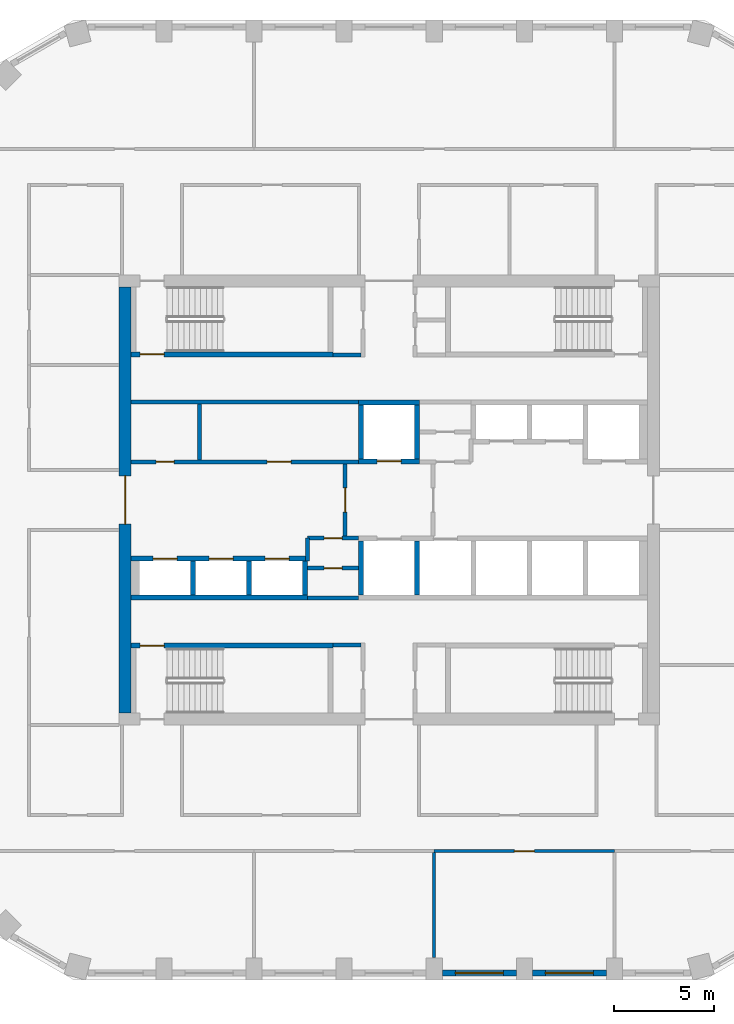
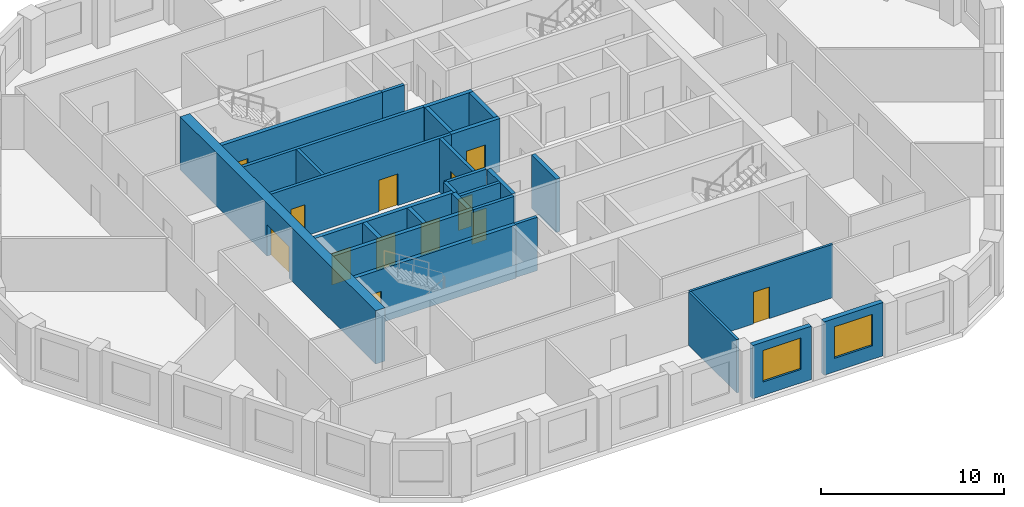
# One storey, part 3 of 9: 28 walls, 13 doors, 2 windows, 15 openings.
"""IFC4 building model written with IfcOpenShell, lengths in metres."""

from ifc_helpers import new_model, si_unit, direction, frame, frame_2d, origin, place, context, subcontext, project, spatial, polyline, rectangle, outline, extrude, material, layer, layer_set, type_object, element, fill, save


model = new_model("IFC4")

# Units and contexts
model_context = context("Model", 3, precision=1e-05, world=origin(), true_north=direction((0.0, 1.0)))
body_context = subcontext(model_context, "Body", "Model", "MODEL_VIEW")
ifc_project = project(units=[si_unit("LENGTHUNIT", "METRE"), si_unit("AREAUNIT", "SQUARE_METRE"), si_unit("VOLUMEUNIT", "CUBIC_METRE"), si_unit("PLANEANGLEUNIT", "RADIAN"), si_unit("MASSUNIT", "GRAM", prefix="KILO")], contexts=[model_context])

# Site, building, storey
site_placement = place(None, origin())
site = spatial("IfcSite", under=ifc_project, at=site_placement, CompositionType="ELEMENT")
building_placement = place(site_placement, origin())
building = spatial("IfcBuilding", under=site, at=building_placement, Name="Dhurran Vertical Campus", CompositionType="ELEMENT")
storey_placement = place(building_placement, frame((0.0, 0.0, 203.39990234375)))
storey = spatial("IfcBuildingStorey", under=building, at=storey_placement, Name="L50", CompositionType="ELEMENT", Elevation=203.39990234375)

# Wall, opening, window
ifc_material_1 = material(Name="Precast concrete C50/60", Category="concrete")
ifc_layer_1 = layer(ifc_material_1, 0.300048828125)
ifc_layer_set_1 = layer_set([ifc_layer_1], Name="Precast concrete C50/60")
wall_type_1 = type_object("IfcWallType", Name="Precast spandrel wall 300", PredefinedType="SOLIDWALL", material=ifc_layer_set_1)
wall_1_placement = place(storey_placement, frame((2.650390625, -23.635498046875, 0.0), z_axis=(0.0, 0.0, 1.0), x_axis=(1.0, 0.0, 0.0)))
wall_1 = element("IfcWall", 1, at=wall_1_placement, inside=storey, type_object=wall_type_1, Name="EW1 L50.04", PredefinedType="SOLIDWALL", context=body_context, shape_type="SweptSolid", body=[
    extrude(rectangle(XDim=3.69921875, YDim=0.300048828125, at=frame_2d((1.849609375, 0.0))), origin(), (0.0, 0.0, 1.0), 3.550048828125),
])
opening_1_placement = place(wall_1_placement, frame((0.6494140625, 0.0, 0.89990234375)))
opening_1 = element("IfcOpeningElement", 2, at=opening_1_placement, cuts=wall_1, Name="Opening WT1", PredefinedType="OPENING", context=body_context, shape_type="SweptSolid", body=[
    extrude(rectangle(XDim=2.39990234375, YDim=2.10009765625, at=frame_2d((1.199951171875, 1.050048828125))), frame((0.0, 0.159912109375, 0.0), z_axis=(0.0, -1.0, 0.0), x_axis=(1.0, 0.0, 0.0)), (0.0, 0.0, 1.0), 0.320068359375),
])
ifc_material_2 = material(Name="Aluminium frame with solar-control glass", Category="aluminium")
window_type = type_object("IfcWindowType", Name="Punched window 2400 x 2100", PartitioningType="SINGLE_PANEL", PredefinedType="WINDOW", material=ifc_material_2)
window_1_placement = place(opening_1_placement, origin())
window_1 = element("IfcWindow", 3, at=window_1_placement, inside=storey, type_object=window_type, Name="WT1 L50.04", OverallHeight=2.10009765625, OverallWidth=2.39990234375, PartitioningType="SINGLE_PANEL", PredefinedType="WINDOW", context=body_context, shape_type="SweptSolid", body=[
    extrude(rectangle(XDim=2.39990234375, YDim=2.10009765625, at=frame_2d((1.199951171875, 1.050048828125))), frame((0.0, 0.030029296875, 0.0), z_axis=(0.0, -1.0, 0.0), x_axis=(1.0, 0.0, 0.0)), (0.0, 0.0, 1.0), 0.06005859375),
])
fill(opening_1, window_1)

wall_2_placement = place(storey_placement, frame((7.150390625, -23.635498046875, 0.0), z_axis=(0.0, 0.0, 1.0), x_axis=(1.0, 0.0, 0.0)))
wall_2 = element("IfcWall", 4, at=wall_2_placement, inside=storey, type_object=wall_type_1, Name="EW1 L50.05", PredefinedType="SOLIDWALL", context=body_context, shape_type="SweptSolid", body=[
    extrude(rectangle(XDim=3.69921875, YDim=0.300048828125, at=frame_2d((1.849609375, 0.0))), origin(), (0.0, 0.0, 1.0), 3.550048828125),
])
opening_2_placement = place(wall_2_placement, frame((0.6494140625, 0.0, 0.89990234375)))
opening_2 = element("IfcOpeningElement", 5, at=opening_2_placement, cuts=wall_2, Name="Opening WT1", PredefinedType="OPENING", context=body_context, shape_type="SweptSolid", body=[
    extrude(rectangle(XDim=2.39990234375, YDim=2.10009765625, at=frame_2d((1.199951171875, 1.050048828125))), frame((0.0, 0.159912109375, 0.0), z_axis=(0.0, -1.0, 0.0), x_axis=(1.0, 0.0, 0.0)), (0.0, 0.0, 1.0), 0.320068359375),
])
window_2_placement = place(opening_2_placement, origin())
window_2 = element("IfcWindow", 6, at=window_2_placement, inside=storey, type_object=window_type, Name="WT1 L50.05", OverallHeight=2.10009765625, OverallWidth=2.39990234375, PartitioningType="SINGLE_PANEL", PredefinedType="WINDOW", context=body_context, shape_type="SweptSolid", body=[
    extrude(rectangle(XDim=2.39990234375, YDim=2.10009765625, at=frame_2d((1.199951171875, 1.050048828125))), frame((0.0, 0.030029296875, 0.0), z_axis=(0.0, -1.0, 0.0), x_axis=(1.0, 0.0, 0.0)), (0.0, 0.0, 1.0), 0.06005859375),
])
fill(opening_2, window_2)

# Wall, opening, door
ifc_material_3 = material(Name="Concrete C50/60", Category="concrete")
ifc_layer_2 = layer(ifc_material_3, 0.60009765625)
ifc_layer_set_2 = layer_set([ifc_layer_2], Name="Concrete C50/60")
wall_type_2 = type_object("IfcWallType", Name="co-CORE-WALL-C2-600", PredefinedType="SHEAR", material=ifc_layer_set_2)
wall_3_placement = place(storey_placement, frame((-13.199951171875, -10.64990234375, 0.0), z_axis=(0.0, 0.0, 1.0), x_axis=(0.0, 1.0, 0.0)))
wall_3 = element("IfcWall", 7, at=wall_3_placement, inside=storey, type_object=wall_type_2, Name="Core wall W L50", PredefinedType="SHEAR", context=body_context, shape_type="SweptSolid", body=[
    extrude(rectangle(XDim=21.2998046875, YDim=0.60009765625, at=frame_2d((10.64990234375, 0.0))), origin(), (0.0, 0.0, 1.0), 3.550048828125),
])
opening_3_placement = place(wall_3_placement, frame((9.449951171875, 0.0, 0.0)))
opening_3 = element("IfcOpeningElement", 8, at=opening_3_placement, cuts=wall_3, Name="Opening CL1", PredefinedType="OPENING", context=body_context, shape_type="SweptSolid", body=[
    extrude(rectangle(XDim=2.39990234375, YDim=2.10009765625, at=frame_2d((1.199951171875, 1.050048828125))), frame((0.0, 0.31005859375, 0.0), z_axis=(0.0, -1.0, 0.0), x_axis=(1.0, 0.0, 0.0)), (0.0, 0.0, 1.0), 0.6201171875),
])
ifc_material_4 = material(Name="Fire-rated glazed door set")
door_type_1 = type_object("IfcDoorType", Name="co-D-LOBBY 2400x2100", OperationType="DOUBLE_DOOR_DOUBLE_SWING", PredefinedType="DOOR", material=ifc_material_4)
door_1_placement = place(opening_3_placement, origin())
door_1 = element("IfcDoor", 9, at=door_1_placement, inside=storey, type_object=door_type_1, Name="Lift lobby door W L50", OperationType="DOUBLE_DOOR_DOUBLE_SWING", OverallHeight=2.10009765625, OverallWidth=2.39990234375, PredefinedType="DOOR", context=body_context, shape_type="SweptSolid", body=[
    extrude(rectangle(XDim=2.39990234375, YDim=2.10009765625, at=frame_2d((1.199951171875, 1.050048828125))), frame((0.0, 0.02490234375, 0.0), z_axis=(0.0, -1.0, 0.0), x_axis=(1.0, 0.0, 0.0)), (0.0, 0.0, 1.0), 0.050048828125),
])
fill(opening_3, door_1)

ifc_material_5 = material(Name="Fire-rated masonry blockwork", Category="masonry")
ifc_layer_3 = layer(ifc_material_5, 0.199951171875)
ifc_layer_set_3 = layer_set([ifc_layer_3], Name="Fire-rated masonry blockwork")
wall_type_3 = type_object("IfcWallType", Name="co-FIRE-PARTITION-200", PredefinedType="PARTITIONING", material=ifc_layer_set_3)
wall_4_placement = place(storey_placement, frame((-2.199951171875, -1.800048828125, 0.0), z_axis=(0.0, 0.0, 1.0), x_axis=(0.0, 1.0, 0.0)))
wall_4 = element("IfcWall", 10, at=wall_4_placement, inside=storey, type_object=wall_type_3, Name="Firefighting lobby wall W L50", PredefinedType="PARTITIONING", context=body_context, shape_type="SweptSolid", body=[
    extrude(rectangle(XDim=3.60009765625, YDim=0.199951171875, at=frame_2d((1.800048828125, 0.0))), origin(), (0.0, 0.0, 1.0), 3.550048828125),
])
opening_4_placement = place(wall_4_placement, frame((1.199951171875, 0.0, 0.0)))
opening_4 = element("IfcOpeningElement", 11, at=opening_4_placement, cuts=wall_4, Name="Opening FL1", PredefinedType="OPENING", context=body_context, shape_type="SweptSolid", body=[
    extrude(rectangle(XDim=1.199951171875, YDim=2.10009765625, at=frame_2d((0.60009765625, 1.050048828125))), frame((0.0, 0.10986328125, 0.0), z_axis=(0.0, -1.0, 0.0), x_axis=(1.0, 0.0, 0.0)), (0.0, 0.0, 1.0), 0.219970703125),
])
ifc_material_6 = material(Name="Fire-rated steel door set", Category="steel")
door_type_2 = type_object("IfcDoorType", Name="co-D-FFLOBBY 1200x2100", OperationType="SINGLE_SWING_LEFT", PredefinedType="DOOR", material=ifc_material_6)
door_2_placement = place(opening_4_placement, origin())
door_2 = element("IfcDoor", 12, at=door_2_placement, inside=storey, type_object=door_type_2, Name="Firefighting lobby door W L50", OperationType="SINGLE_SWING_LEFT", OverallHeight=2.10009765625, OverallWidth=1.199951171875, PredefinedType="DOOR", context=body_context, shape_type="SweptSolid", body=[
    extrude(rectangle(XDim=1.199951171875, YDim=2.10009765625, at=frame_2d((0.60009765625, 1.050048828125))), frame((0.0, 0.02490234375, 0.0), z_axis=(0.0, -1.0, 0.0), x_axis=(1.0, 0.0, 0.0)), (0.0, 0.0, 1.0), 0.050048828125),
])
fill(opening_4, door_2)

# Walls
for number, where, z_axis, x_axis, name in (
    (13, (-2.800048828125, 7.25, 0.0), (0.0, 0.0, 1.0), (1.0, 0.0, 0.0), "Core partition sl-NW-S L50"),
    (14, (-2.800048828125, -7.25, 0.0), (0.0, 0.0, 1.0), (1.0, 0.0, 0.0), "Core partition sl-SW-S L50"),
):
    element("IfcWall", number, at=place(storey_placement, frame(where, z_axis=z_axis, x_axis=x_axis)), inside=storey, type_object=wall_type_3, Name=name, PredefinedType="PARTITIONING", context=body_context, shape_type="SweptSolid", body=[
        extrude(rectangle(XDim=1.400146484375, YDim=0.199951171875, at=frame_2d((0.7001953125, 0.0))), origin(), (0.0, 0.0, 1.0), 3.550048828125),
    ])
wall_5_placement = place(storey_placement, frame((-9.487548828125, 2.0, 0.0), z_axis=(0.0, 0.0, 1.0), x_axis=(0.0, 1.0, 0.0)))
element("IfcWall", 15, at=wall_5_placement, inside=storey, type_object=wall_type_3, Name="Core partition fr-N0-cut0 L50", PredefinedType="PARTITIONING", context=body_context, shape_type="SweptSolid", body=[
    extrude(rectangle(XDim=2.800048828125, YDim=0.199951171875, at=frame_2d((1.39990234375, 0.0))), origin(), (0.0, 0.0, 1.0), 3.550048828125),
])

# Wall, openings, doors
wall_6_placement = place(storey_placement, frame((-12.89990234375, 1.89990234375, 0.0), z_axis=(0.0, 0.0, 1.0), x_axis=(1.0, 0.0, 0.0)))
wall_6 = element("IfcWall", 16, at=wall_6_placement, inside=storey, type_object=wall_type_3, Name="Core partition fr-N0-f L50", PredefinedType="PARTITIONING", context=body_context, shape_type="SweptSolid", body=[
    extrude(rectangle(XDim=11.375, YDim=0.199951171875, at=frame_2d((5.6875, 0.0))), origin(), (0.0, 0.0, 1.0), 3.550048828125),
])
opening_5_placement = place(wall_6_placement, frame((1.25634765625, 0.0, 0.0)))
opening_5 = element("IfcOpeningElement", 17, at=opening_5_placement, cuts=wall_6, Name="Opening T14-C6", PredefinedType="OPENING", context=body_context, shape_type="SweptSolid", body=[
    extrude(rectangle(XDim=0.89990234375, YDim=2.10009765625, at=frame_2d((0.449951171875, 1.050048828125))), frame((0.0, 0.10986328125, 0.0), z_axis=(0.0, -1.0, 0.0), x_axis=(1.0, 0.0, 0.0)), (0.0, 0.0, 1.0), 0.219970703125),
])
opening_6_placement = place(wall_6_placement, frame((6.793701171875, 0.0, 0.0)))
opening_6 = element("IfcOpeningElement", 18, at=opening_6_placement, cuts=wall_6, Name="Opening T14-C7", PredefinedType="OPENING", context=body_context, shape_type="SweptSolid", body=[
    extrude(rectangle(XDim=1.199951171875, YDim=2.10009765625, at=frame_2d((0.60009765625, 1.050048828125))), frame((0.0, 0.10986328125, 0.0), z_axis=(0.0, -1.0, 0.0), x_axis=(1.0, 0.0, 0.0)), (0.0, 0.0, 1.0), 0.219970703125),
])
ifc_material_7 = material(Name="Fire-rated timber door set", Category="wood")
door_type_3 = type_object("IfcDoorType", Name="co-D-ROOM 900x2100", OperationType="SINGLE_SWING_LEFT", PredefinedType="DOOR", material=ifc_material_7)
door_3_placement = place(opening_5_placement, origin())
door_3 = element("IfcDoor", 19, at=door_3_placement, inside=storey, type_object=door_type_3, Name="Housekeeping store door L50", OperationType="SINGLE_SWING_LEFT", OverallHeight=2.10009765625, OverallWidth=0.89990234375, PredefinedType="DOOR", context=body_context, shape_type="SweptSolid", body=[
    extrude(rectangle(XDim=0.89990234375, YDim=2.10009765625, at=frame_2d((0.449951171875, 1.050048828125))), frame((0.0, 0.02490234375, 0.0), z_axis=(0.0, -1.0, 0.0), x_axis=(1.0, 0.0, 0.0)), (0.0, 0.0, 1.0), 0.050048828125),
])
fill(opening_5, door_3)
ifc_material_8 = material(Name="Fire-rated steel door set", Category="steel")
door_type_4 = type_object("IfcDoorType", Name="co-D-ROOM-PASSAGE 1200x2100", OperationType="SINGLE_SWING_RIGHT", PredefinedType="DOOR", material=ifc_material_8)
door_4_placement = place(opening_6_placement, origin())
door_4 = element("IfcDoor", 20, at=door_4_placement, inside=storey, type_object=door_type_4, Name="Store door L50", OperationType="SINGLE_SWING_RIGHT", OverallHeight=2.10009765625, OverallWidth=1.199951171875, PredefinedType="DOOR", context=body_context, shape_type="SweptSolid", body=[
    extrude(rectangle(XDim=1.199951171875, YDim=2.10009765625, at=frame_2d((0.60009765625, 1.050048828125))), frame((0.0, 0.02490234375, 0.0), z_axis=(0.0, -1.0, 0.0), x_axis=(1.0, 0.0, 0.0)), (0.0, 0.0, 1.0), 0.050048828125),
])
fill(opening_6, door_4)

# Wall
wall_7_placement = place(storey_placement, frame((-12.89990234375, 4.89990234375, 0.0), z_axis=(0.0, 0.0, 1.0), x_axis=(1.0, 0.0, 0.0)))
element("IfcWall", 21, at=wall_7_placement, inside=storey, type_object=wall_type_3, Name="Core partition fr-N0-b L50", PredefinedType="PARTITIONING", context=body_context, shape_type="SweptSolid", body=[
    extrude(rectangle(XDim=11.375, YDim=0.199951171875, at=frame_2d((5.6875, 0.0))), origin(), (0.0, 0.0, 1.0), 3.550048828125),
])

# Wall, opening, door
wall_8_placement = place(storey_placement, frame((-4.074951171875, -3.39990234375, 0.0), z_axis=(0.0, 0.0, 1.0), x_axis=(1.0, 0.0, 0.0)))
wall_8 = element("IfcWall", 22, at=wall_8_placement, inside=storey, type_object=wall_type_3, Name="Core partition fr-S0-c L50", PredefinedType="PARTITIONING", context=body_context, shape_type="SweptSolid", body=[
    extrude(rectangle(XDim=2.550048828125, YDim=0.199951171875, at=frame_2d((1.27490234375, 0.0))), origin(), (0.0, 0.0, 1.0), 3.550048828125),
])
opening_7_placement = place(wall_8_placement, frame((0.824951171875, 0.0, 0.0)))
opening_7 = element("IfcOpeningElement", 23, at=opening_7_placement, cuts=wall_8, Name="Opening T14-C10", PredefinedType="OPENING", context=body_context, shape_type="SweptSolid", body=[
    extrude(rectangle(XDim=0.89990234375, YDim=2.10009765625, at=frame_2d((0.449951171875, 1.050048828125))), frame((0.0, 0.10986328125, 0.0), z_axis=(0.0, -1.0, 0.0), x_axis=(1.0, 0.0, 0.0)), (0.0, 0.0, 1.0), 0.219970703125),
])
door_5_placement = place(opening_7_placement, origin())
door_5 = element("IfcDoor", 24, at=door_5_placement, inside=storey, type_object=door_type_3, Name="Store door L50", OperationType="SINGLE_SWING_LEFT", OverallHeight=2.10009765625, OverallWidth=0.89990234375, PredefinedType="DOOR", context=body_context, shape_type="SweptSolid", body=[
    extrude(rectangle(XDim=0.89990234375, YDim=2.10009765625, at=frame_2d((0.449951171875, 1.050048828125))), frame((0.0, 0.02490234375, 0.0), z_axis=(0.0, -1.0, 0.0), x_axis=(1.0, 0.0, 0.0)), (0.0, 0.0, 1.0), 0.050048828125),
])
fill(opening_7, door_5)

wall_9_placement = place(storey_placement, frame((-4.074951171875, -1.89990234375, 0.0), z_axis=(0.0, 0.0, 1.0), x_axis=(1.0, 0.0, 0.0)))
wall_9 = element("IfcWall", 25, at=wall_9_placement, inside=storey, type_object=wall_type_3, Name="Core partition fr-S0-f L50", PredefinedType="PARTITIONING", context=body_context, shape_type="SweptSolid", body=[
    extrude(rectangle(XDim=2.550048828125, YDim=0.199951171875, at=frame_2d((1.27490234375, 0.0))), origin(), (0.0, 0.0, 1.0), 3.550048828125),
])
opening_8_placement = place(wall_9_placement, frame((0.824951171875, 0.0, 0.0)))
opening_8 = element("IfcOpeningElement", 26, at=opening_8_placement, cuts=wall_9, Name="Opening T14-C11", PredefinedType="OPENING", context=body_context, shape_type="SweptSolid", body=[
    extrude(rectangle(XDim=0.89990234375, YDim=2.10009765625, at=frame_2d((0.449951171875, 1.050048828125))), frame((0.0, 0.10986328125, 0.0), z_axis=(0.0, -1.0, 0.0), x_axis=(1.0, 0.0, 0.0)), (0.0, 0.0, 1.0), 0.219970703125),
])
door_6_placement = place(opening_8_placement, origin())
door_6 = element("IfcDoor", 27, at=door_6_placement, inside=storey, type_object=door_type_3, Name="Pantry door L50", OperationType="SINGLE_SWING_LEFT", OverallHeight=2.10009765625, OverallWidth=0.89990234375, PredefinedType="DOOR", context=body_context, shape_type="SweptSolid", body=[
    extrude(rectangle(XDim=0.89990234375, YDim=2.10009765625, at=frame_2d((0.449951171875, 1.050048828125))), frame((0.0, 0.02490234375, 0.0), z_axis=(0.0, -1.0, 0.0), x_axis=(1.0, 0.0, 0.0)), (0.0, 0.0, 1.0), 0.050048828125),
])
fill(opening_8, door_6)

# Walls
wall_10_placement = place(storey_placement, frame((-4.074951171875, -4.89990234375, 0.0), z_axis=(0.0, 0.0, 1.0), x_axis=(1.0, 0.0, 0.0)))
element("IfcWall", 28, at=wall_10_placement, inside=storey, type_object=wall_type_3, Name="Core partition fr-S0-b L50", PredefinedType="PARTITIONING", context=body_context, shape_type="SweptSolid", body=[
    extrude(rectangle(XDim=2.550048828125, YDim=0.199951171875, at=frame_2d((1.27490234375, 0.0))), origin(), (0.0, 0.0, 1.0), 3.550048828125),
])
wall_11_placement = place(storey_placement, frame((-4.074951171875, -1.89990234375, 0.0), z_axis=(0.0, 0.0, 1.0), x_axis=(0.0, -1.0, 0.0)))
element("IfcWall", 29, at=wall_11_placement, inside=storey, type_object=wall_type_3, Name="Core partition fr-S0-n0 L50", PredefinedType="PARTITIONING", context=body_context, shape_type="SweptSolid", body=[
    extrude(rectangle(XDim=1.150146484375, YDim=0.199951171875, at=frame_2d((0.5751953125, 0.0))), origin(), (0.0, 0.0, 1.0), 3.550048828125),
])

# Wall, opening, door
ifc_material_9 = material(Name="Concrete C50/60", Category="concrete")
ifc_layer_4 = layer(ifc_material_9, 0.25)
ifc_layer_set_4 = layer_set([ifc_layer_4], Name="Concrete C50/60")
wall_type_4 = type_object("IfcWallType", Name="co-SHAFT-FRONT-250", PredefinedType="SHEAR", material=ifc_layer_set_4)
wall_12_placement = place(storey_placement, frame((-1.52490234375, 1.925048828125, 0.0), z_axis=(0.0, 0.0, 1.0), x_axis=(1.0, 0.0, 0.0)))
wall_12 = element("IfcWall", 30, at=wall_12_placement, inside=storey, type_object=wall_type_4, Name="Lift landing wall N L50", PredefinedType="SHEAR", context=body_context, shape_type="SweptSolid", body=[
    extrude(rectangle(XDim=3.0498046875, YDim=0.25, at=frame_2d((1.52490234375, 0.0))), origin(), (0.0, 0.0, 1.0), 3.550048828125),
])
opening_9_placement = place(wall_12_placement, frame((0.925048828125, 0.0, 0.0)))
opening_9 = element("IfcOpeningElement", 31, at=opening_9_placement, cuts=wall_12, Name="Opening LD", PredefinedType="OPENING", context=body_context, shape_type="SweptSolid", body=[
    extrude(rectangle(XDim=1.199951171875, YDim=2.10009765625, at=frame_2d((0.60009765625, 1.050048828125))), frame((0.0, 0.135009765625, 0.0), z_axis=(0.0, -1.0, 0.0), x_axis=(1.0, 0.0, 0.0)), (0.0, 0.0, 1.0), 0.27001953125),
])
ifc_material_10 = material(Name="Stainless steel landing door", Category="steel")
door_type_5 = type_object("IfcDoorType", Name="co-D-LANDING 1200x2100", OperationType="DOUBLE_DOOR_SLIDING", PredefinedType="DOOR", material=ifc_material_10)
door_7_placement = place(opening_9_placement, origin())
door_7 = element("IfcDoor", 32, at=door_7_placement, inside=storey, type_object=door_type_5, Name="Landing door FF1 L50", OperationType="DOUBLE_DOOR_SLIDING", OverallHeight=2.10009765625, OverallWidth=1.199951171875, PredefinedType="DOOR", context=body_context, shape_type="SweptSolid", body=[
    extrude(rectangle(XDim=1.199951171875, YDim=2.10009765625, at=frame_2d((0.60009765625, 1.050048828125))), frame((0.0, 0.02490234375, 0.0), z_axis=(0.0, -1.0, 0.0), x_axis=(1.0, 0.0, 0.0)), (0.0, 0.0, 1.0), 0.050048828125),
])
fill(opening_9, door_7)

# Wall, openings, doors
wall_13_placement = place(storey_placement, frame((-12.89990234375, -2.925048828125, 0.0), z_axis=(0.0, 0.0, 1.0), x_axis=(1.0, 0.0, 0.0)))
wall_13 = element("IfcWall", 33, at=wall_13_placement, inside=storey, type_object=wall_type_4, Name="Lift landing wall S L50", PredefinedType="SHEAR", context=body_context, shape_type="SweptSolid", body=[
    extrude(rectangle(XDim=8.824951171875, YDim=0.25, at=frame_2d((4.41259765625, 0.0))), origin(), (0.0, 0.0, 1.0), 3.550048828125),
])
opening_10_placement = place(wall_13_placement, frame((1.10009765625, 0.0, 0.0)))
opening_10 = element("IfcOpeningElement", 34, at=opening_10_placement, cuts=wall_13, Name="Opening LD", PredefinedType="OPENING", context=body_context, shape_type="SweptSolid", body=[
    extrude(rectangle(XDim=1.199951171875, YDim=2.10009765625, at=frame_2d((0.60009765625, 1.050048828125))), frame((0.0, 0.135009765625, 0.0), z_axis=(0.0, -1.0, 0.0), x_axis=(1.0, 0.0, 0.0)), (0.0, 0.0, 1.0), 0.27001953125),
])
opening_11_placement = place(wall_13_placement, frame((3.89990234375, 0.0, 0.0)))
opening_11 = element("IfcOpeningElement", 35, at=opening_11_placement, cuts=wall_13, Name="Opening LD", PredefinedType="OPENING", context=body_context, shape_type="SweptSolid", body=[
    extrude(rectangle(XDim=1.199951171875, YDim=2.10009765625, at=frame_2d((0.60009765625, 1.050048828125))), frame((0.0, 0.135009765625, 0.0), z_axis=(0.0, -1.0, 0.0), x_axis=(1.0, 0.0, 0.0)), (0.0, 0.0, 1.0), 0.27001953125),
])
opening_12_placement = place(wall_13_placement, frame((6.699951171875, 0.0, 0.0)))
opening_12 = element("IfcOpeningElement", 36, at=opening_12_placement, cuts=wall_13, Name="Opening LD", PredefinedType="OPENING", context=body_context, shape_type="SweptSolid", body=[
    extrude(rectangle(XDim=1.199951171875, YDim=2.10009765625, at=frame_2d((0.60009765625, 1.050048828125))), frame((0.0, 0.135009765625, 0.0), z_axis=(0.0, -1.0, 0.0), x_axis=(1.0, 0.0, 0.0)), (0.0, 0.0, 1.0), 0.27001953125),
])
door_8_placement = place(opening_10_placement, origin())
door_8 = element("IfcDoor", 37, at=door_8_placement, inside=storey, type_object=door_type_5, Name="Landing door MR3 L50", OperationType="DOUBLE_DOOR_SLIDING", OverallHeight=2.10009765625, OverallWidth=1.199951171875, PredefinedType="DOOR", context=body_context, shape_type="SweptSolid", body=[
    extrude(rectangle(XDim=1.199951171875, YDim=2.10009765625, at=frame_2d((0.60009765625, 1.050048828125))), frame((0.0, 0.02490234375, 0.0), z_axis=(0.0, -1.0, 0.0), x_axis=(1.0, 0.0, 0.0)), (0.0, 0.0, 1.0), 0.050048828125),
])
fill(opening_10, door_8)
door_9_placement = place(opening_11_placement, origin())
door_9 = element("IfcDoor", 38, at=door_9_placement, inside=storey, type_object=door_type_5, Name="Landing door MR4 L50", OperationType="DOUBLE_DOOR_SLIDING", OverallHeight=2.10009765625, OverallWidth=1.199951171875, PredefinedType="DOOR", context=body_context, shape_type="SweptSolid", body=[
    extrude(rectangle(XDim=1.199951171875, YDim=2.10009765625, at=frame_2d((0.60009765625, 1.050048828125))), frame((0.0, 0.02490234375, 0.0), z_axis=(0.0, -1.0, 0.0), x_axis=(1.0, 0.0, 0.0)), (0.0, 0.0, 1.0), 0.050048828125),
])
fill(opening_11, door_9)
door_10_placement = place(opening_12_placement, origin())
door_10 = element("IfcDoor", 39, at=door_10_placement, inside=storey, type_object=door_type_5, Name="Landing door MR5 L50", OperationType="DOUBLE_DOOR_SLIDING", OverallHeight=2.10009765625, OverallWidth=1.199951171875, PredefinedType="DOOR", context=body_context, shape_type="SweptSolid", body=[
    extrude(rectangle(XDim=1.199951171875, YDim=2.10009765625, at=frame_2d((0.60009765625, 1.050048828125))), frame((0.0, 0.02490234375, 0.0), z_axis=(0.0, -1.0, 0.0), x_axis=(1.0, 0.0, 0.0)), (0.0, 0.0, 1.0), 0.050048828125),
])
fill(opening_12, door_10)

# Walls
ifc_material_11 = material(Name="Concrete C50/60", Category="concrete")
ifc_layer_5 = layer(ifc_material_11, 0.25)
ifc_layer_set_5 = layer_set([ifc_layer_5], Name="Concrete C50/60")
wall_type_5 = type_object("IfcWallType", Name="co-SHAFT-MASS-250", PredefinedType="SHEAR", material=ifc_layer_set_5)
wall_14_placement = place(storey_placement, origin())
element("IfcWall", 40, at=wall_14_placement, inside=storey, type_object=wall_type_5, Name="Lift shaft wall N L50 1", PredefinedType="SHEAR", context=body_context, shape_type="SweptSolid", body=[
    extrude(outline(polyline([(-1.52490234375, 4.75), (1.52490234375, 4.75), (1.52490234375, 5.0), (-1.52490234375, 5.0), (-1.52490234375, 4.75)])), origin(), (0.0, 0.0, 1.0), 3.550048828125),
])
wall_15_placement = place(storey_placement, origin())
element("IfcWall", 41, at=wall_15_placement, inside=storey, type_object=wall_type_5, Name="Lift shaft wall N L50 3", PredefinedType="SHEAR", context=body_context, shape_type="SweptSolid", body=[
    extrude(outline(polyline([(-1.52490234375, 2.050048828125), (-1.27490234375, 2.050048828125), (-1.27490234375, 4.75), (-1.52490234375, 4.75), (-1.52490234375, 2.050048828125)])), origin(), (0.0, 0.0, 1.0), 3.550048828125),
])
wall_16_placement = place(storey_placement, origin())
element("IfcWall", 42, at=wall_16_placement, inside=storey, type_object=wall_type_5, Name="Lift shaft wall N L50 4", PredefinedType="SHEAR", context=body_context, shape_type="SweptSolid", body=[
    extrude(outline(polyline([(1.27490234375, 2.050048828125), (1.52490234375, 2.050048828125), (1.52490234375, 4.75), (1.27490234375, 4.75), (1.27490234375, 2.050048828125)])), origin(), (0.0, 0.0, 1.0), 3.550048828125),
])
wall_17_placement = place(storey_placement, origin())
element("IfcWall", 43, at=wall_17_placement, inside=storey, type_object=wall_type_5, Name="Lift shaft wall S L50 1", PredefinedType="SHEAR", context=body_context, shape_type="SweptSolid", body=[
    extrude(outline(polyline([(-12.89990234375, -5.0), (-4.074951171875, -5.0), (-4.074951171875, -4.75), (-12.89990234375, -4.75), (-12.89990234375, -5.0)])), origin(), (0.0, 0.0, 1.0), 3.550048828125),
])
wall_18_placement = place(storey_placement, origin())
element("IfcWall", 44, at=wall_18_placement, inside=storey, type_object=wall_type_5, Name="Lift shaft wall S L50 4", PredefinedType="SHEAR", context=body_context, shape_type="SweptSolid", body=[
    extrude(outline(polyline([(-9.925048828125, -4.75), (-9.675048828125, -4.75), (-9.675048828125, -3.050048828125), (-9.925048828125, -3.050048828125), (-9.925048828125, -4.75)])), origin(), (0.0, 0.0, 1.0), 3.550048828125),
])
wall_19_placement = place(storey_placement, origin())
element("IfcWall", 45, at=wall_19_placement, inside=storey, type_object=wall_type_5, Name="Lift shaft wall S L50 5", PredefinedType="SHEAR", context=body_context, shape_type="SweptSolid", body=[
    extrude(outline(polyline([(-7.125, -4.75), (-6.875, -4.75), (-6.875, -3.050048828125), (-7.125, -3.050048828125), (-7.125, -4.75)])), origin(), (0.0, 0.0, 1.0), 3.550048828125),
])
wall_20_placement = place(storey_placement, origin())
element("IfcWall", 46, at=wall_20_placement, inside=storey, type_object=wall_type_5, Name="Lift shaft wall S L50 6", PredefinedType="SHEAR", context=body_context, shape_type="SweptSolid", body=[
    extrude(outline(polyline([(-4.324951171875, -4.75), (-4.074951171875, -4.75), (-4.074951171875, -3.050048828125), (-4.324951171875, -3.050048828125), (-4.324951171875, -4.75)])), origin(), (0.0, 0.0, 1.0), 3.550048828125),
])
wall_21_placement = place(storey_placement, origin())
element("IfcWall", 47, at=wall_21_placement, inside=storey, type_object=wall_type_5, Name="Lift shaft wall S L50 7", PredefinedType="SHEAR", context=body_context, shape_type="SweptSolid", body=[
    extrude(outline(polyline([(-1.52490234375, -4.75), (-1.27490234375, -4.75), (-1.27490234375, -2.050048828125), (-1.52490234375, -2.050048828125), (-1.52490234375, -4.75)])), origin(), (0.0, 0.0, 1.0), 3.550048828125),
])
wall_22_placement = place(storey_placement, origin())
element("IfcWall", 48, at=wall_22_placement, inside=storey, type_object=wall_type_5, Name="Lift shaft wall S L50 8", PredefinedType="SHEAR", context=body_context, shape_type="SweptSolid", body=[
    extrude(outline(polyline([(1.27490234375, -4.75), (1.52490234375, -4.75), (1.52490234375, -2.050048828125), (1.27490234375, -2.050048828125), (1.27490234375, -4.75)])), origin(), (0.0, 0.0, 1.0), 3.550048828125),
])

# Wall, opening, door
ifc_material_12 = material(Name="Concrete C40/50", Category="concrete")
ifc_layer_6 = layer(ifc_material_12, 0.25)
ifc_layer_set_6 = layer_set([ifc_layer_6], Name="Concrete C40/50")
wall_type_6 = type_object("IfcWallType", Name="co-STAIR-WALL-250", PredefinedType="SHEAR", material=ifc_layer_set_6)
wall_23_placement = place(storey_placement, frame((-12.89990234375, 7.27490234375, 0.0), z_axis=(0.0, 0.0, 1.0), x_axis=(1.0, 0.0, 0.0)))
wall_23 = element("IfcWall", 49, at=wall_23_placement, inside=storey, type_object=wall_type_6, Name="Stair ST1 enclosure wall L50", PredefinedType="SHEAR", context=body_context, shape_type="SweptSolid", body=[
    extrude(rectangle(XDim=10.099853515625, YDim=0.25, at=frame_2d((5.0498046875, 0.0))), origin(), (0.0, 0.0, 1.0), 3.550048828125),
])
opening_13_placement = place(wall_23_placement, frame((0.449951171875, 0.0, 0.0)))
opening_13 = element("IfcOpeningElement", 50, at=opening_13_placement, cuts=wall_23, Name="Opening SD1", PredefinedType="OPENING", context=body_context, shape_type="SweptSolid", body=[
    extrude(rectangle(XDim=1.199951171875, YDim=2.10009765625, at=frame_2d((0.60009765625, 1.050048828125))), frame((0.0, 0.135009765625, 0.0), z_axis=(0.0, -1.0, 0.0), x_axis=(1.0, 0.0, 0.0)), (0.0, 0.0, 1.0), 0.27001953125),
])
ifc_material_13 = material(Name="Fire-rated steel door set", Category="steel")
door_type_6 = type_object("IfcDoorType", Name="co-D-STAIR 1200x2100", OperationType="SINGLE_SWING_LEFT", PredefinedType="DOOR", material=ifc_material_13)
door_11_placement = place(opening_13_placement, origin())
door_11 = element("IfcDoor", 51, at=door_11_placement, inside=storey, type_object=door_type_6, Name="Stair ST1 door L50", OperationType="SINGLE_SWING_LEFT", OverallHeight=2.10009765625, OverallWidth=1.199951171875, PredefinedType="DOOR", context=body_context, shape_type="SweptSolid", body=[
    extrude(rectangle(XDim=1.199951171875, YDim=2.10009765625, at=frame_2d((0.60009765625, 1.050048828125))), frame((0.0, 0.02490234375, 0.0), z_axis=(0.0, -1.0, 0.0), x_axis=(1.0, 0.0, 0.0)), (0.0, 0.0, 1.0), 0.050048828125),
])
fill(opening_13, door_11)

wall_24_placement = place(storey_placement, frame((-12.89990234375, -7.27490234375, 0.0), z_axis=(0.0, 0.0, 1.0), x_axis=(1.0, 0.0, 0.0)))
wall_24 = element("IfcWall", 52, at=wall_24_placement, inside=storey, type_object=wall_type_6, Name="Stair ST3 enclosure wall L50", PredefinedType="SHEAR", context=body_context, shape_type="SweptSolid", body=[
    extrude(rectangle(XDim=10.099853515625, YDim=0.25, at=frame_2d((5.0498046875, 0.0))), origin(), (0.0, 0.0, 1.0), 3.550048828125),
])
opening_14_placement = place(wall_24_placement, frame((0.449951171875, 0.0, 0.0)))
opening_14 = element("IfcOpeningElement", 53, at=opening_14_placement, cuts=wall_24, Name="Opening SD3", PredefinedType="OPENING", context=body_context, shape_type="SweptSolid", body=[
    extrude(rectangle(XDim=1.199951171875, YDim=2.10009765625, at=frame_2d((0.60009765625, 1.050048828125))), frame((0.0, 0.135009765625, 0.0), z_axis=(0.0, -1.0, 0.0), x_axis=(1.0, 0.0, 0.0)), (0.0, 0.0, 1.0), 0.27001953125),
])
door_12_placement = place(opening_14_placement, origin())
door_12 = element("IfcDoor", 54, at=door_12_placement, inside=storey, type_object=door_type_6, Name="Stair ST3 door L50", OperationType="SINGLE_SWING_LEFT", OverallHeight=2.10009765625, OverallWidth=1.199951171875, PredefinedType="DOOR", context=body_context, shape_type="SweptSolid", body=[
    extrude(rectangle(XDim=1.199951171875, YDim=2.10009765625, at=frame_2d((0.60009765625, 1.050048828125))), frame((0.0, 0.02490234375, 0.0), z_axis=(0.0, -1.0, 0.0), x_axis=(1.0, 0.0, 0.0)), (0.0, 0.0, 1.0), 0.050048828125),
])
fill(opening_14, door_12)

ifc_material_14 = material(Name="Gypsum board corridor wall on steel studs", Category="steel")
ifc_layer_7 = layer(ifc_material_14, 0.14990234375)
ifc_layer_set_7 = layer_set([ifc_layer_7], Name="Gypsum board corridor wall on steel studs")
wall_type_7 = type_object("IfcWallType", Name="fl-CW-150 corridor wall", PredefinedType="PARTITIONING", material=ifc_layer_set_7)
wall_25_placement = place(storey_placement, frame((2.25, -17.550048828125, 0.0), z_axis=(0.0, 0.0, 1.0), x_axis=(1.0, 0.0, 0.0)))
wall_25 = element("IfcWall", 55, at=wall_25_placement, inside=storey, type_object=wall_type_7, Name="Partition 50-41", PredefinedType="PARTITIONING", context=body_context, shape_type="SweptSolid", body=[
    extrude(rectangle(XDim=9.0, YDim=0.14990234375, at=frame_2d((4.5, 0.0))), origin(), (0.0, 0.0, 1.0), 3.550048828125),
])
opening_15_placement = place(wall_25_placement, frame((4.0, 0.0, 0.0)))
opening_15 = element("IfcOpeningElement", 56, at=opening_15_placement, cuts=wall_25, Name="Opening T14.17", PredefinedType="OPENING", context=body_context, shape_type="SweptSolid", body=[
    extrude(rectangle(XDim=1.0, YDim=2.10009765625, at=frame_2d((0.5, 1.050048828125))), frame((0.0, 0.0849609375, 0.0), z_axis=(0.0, -1.0, 0.0), x_axis=(1.0, 0.0, 0.0)), (0.0, 0.0, 1.0), 0.169921875),
])
ifc_material_15 = material(Name="Solid-core timber door set, fire-rated", Category="wood")
door_type_7 = type_object("IfcDoorType", Name="fl-D-1000x2100", OperationType="SINGLE_SWING_LEFT", PredefinedType="DOOR", material=ifc_material_15)
door_13_placement = place(opening_15_placement, origin())
door_13 = element("IfcDoor", 57, at=door_13_placement, inside=storey, type_object=door_type_7, Name="Door 50.17", OperationType="SINGLE_SWING_RIGHT", OverallHeight=2.10009765625, OverallWidth=1.0, PredefinedType="DOOR", context=body_context, shape_type="SweptSolid", body=[
    extrude(rectangle(XDim=1.0, YDim=2.10009765625, at=frame_2d((0.5, 1.050048828125))), frame((0.0, 0.02490234375, 0.0), z_axis=(0.0, -1.0, 0.0), x_axis=(1.0, 0.0, 0.0)), (0.0, 0.0, 1.0), 0.050048828125),
])
fill(opening_15, door_13)

# Wall
ifc_material_16 = material(Name="Gypsum board partition on steel studs", Category="steel")
ifc_layer_8 = layer(ifc_material_16, 0.14990234375)
ifc_layer_set_8 = layer_set([ifc_layer_8], Name="Gypsum board partition on steel studs")
wall_type_8 = type_object("IfcWallType", Name="fl-PW-150 fixed partition", PredefinedType="PARTITIONING", material=ifc_layer_set_8)
wall_26_placement = place(storey_placement, frame((2.25, -17.625, 0.0), z_axis=(0.0, 0.0, 1.0), x_axis=(0.0, -1.0, 0.0)))
element("IfcWall", 58, at=wall_26_placement, inside=storey, type_object=wall_type_8, Name="Partition 50-40", PredefinedType="PARTITIONING", context=body_context, shape_type="SweptSolid", body=[
    extrude(rectangle(XDim=5.240478515625, YDim=0.14990234375, at=frame_2d((2.6201171875, 0.0))), origin(), (0.0, 0.0, 1.0), 3.550048828125),
])

save(model, "model.ifc")
